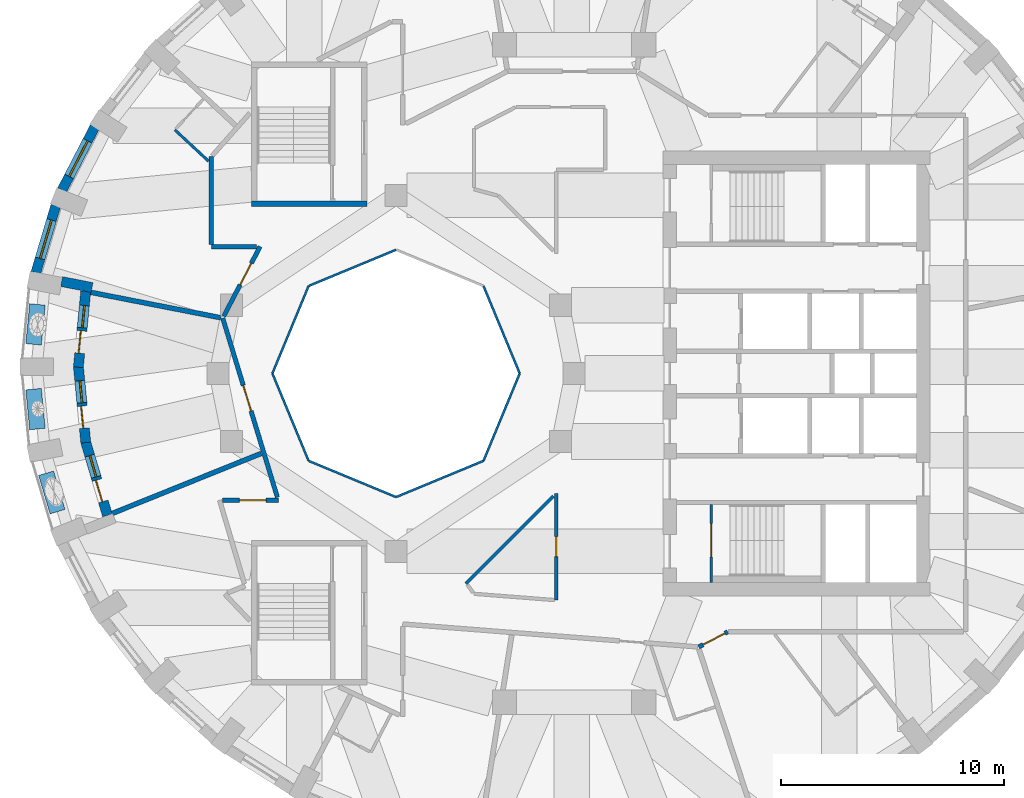
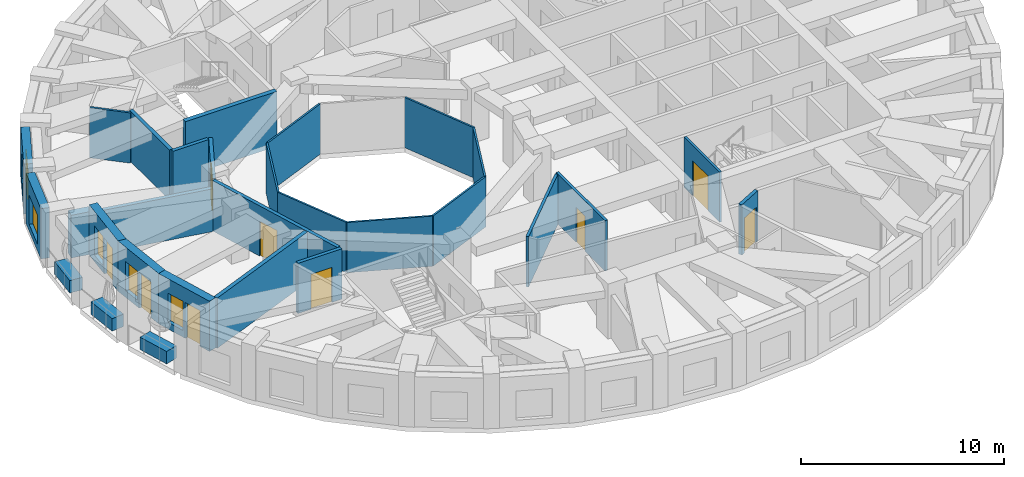
# One storey, part 4 of 12: 29 walls, 9 doors, 5 windows, 14 openings.
"""IFC4 building model written with IfcOpenShell, lengths in metres."""

from ifc_helpers import new_model, si_unit, direction, frame, frame_2d, origin, place, context, subcontext, project, spatial, rectangle, extrude, material, layer, layer_set, constituent, constituent_set, type_object, element, fill, save


model = new_model("IFC4")

# Units and contexts
model_context = context("Model", 3, precision=1e-05, world=origin(), true_north=direction((0.0, 1.0)))
body_context = subcontext(model_context, "Body", "Model", "MODEL_VIEW")
ifc_project = project(units=[si_unit("LENGTHUNIT", "METRE"), si_unit("AREAUNIT", "SQUARE_METRE"), si_unit("VOLUMEUNIT", "CUBIC_METRE"), si_unit("PLANEANGLEUNIT", "RADIAN"), si_unit("MASSUNIT", "GRAM", prefix="KILO")], contexts=[model_context])

# Site, building, storey
site_placement = place(None, origin())
site = spatial("IfcSite", under=ifc_project, at=site_placement, CompositionType="ELEMENT")
building_placement = place(site_placement, origin())
building = spatial("IfcBuilding", under=site, at=building_placement, Name="Taillehof Tower", CompositionType="ELEMENT")
storey_placement = place(building_placement, frame((0.0, 0.0, 239.89990234375)))
storey = spatial("IfcBuildingStorey", under=building, at=storey_placement, Name="L68", CompositionType="ELEMENT", Elevation=239.89990234375)

# Walls
ifc_material_1 = material(Name="Fire-resisting glass in steel frame", Category="steel")
ifc_layer_1 = layer(ifc_material_1, 0.10009765625)
ifc_layer_set_1 = layer_set([ifc_layer_1], Name="Atrium fire-resisting screen EI 60 100")
wall_type_1 = type_object("IfcWallType", Name="Atrium fire-resisting screen EI 60 100", PredefinedType="PARTITIONING", material=ifc_layer_set_1)
for number, where, z_axis, x_axis, name in (
    (1, (-2.44580078125, 0.0, 0.0), (0.0, 0.0, 1.0), (-0.382730523909, -0.923860025149, 0.0), "Atrium screen"),
    (2, (-4.07275390625, -3.92724609375, 0.0), (0.0, 0.0, 1.0), (-0.923860025149, -0.382730523909, 0.0), "Atrium screen"),
    (3, (-8.0, -5.55419921875, 0.0), (0.0, 0.0, 1.0), (-0.923860025149, 0.382730523909, 0.0), "Atrium screen"),
    (4, (-11.92724609375, -3.92724609375, 0.0), (0.0, 0.0, 1.0), (-0.382730523909, 0.923860025149, 0.0), "Atrium screen"),
    (5, (-13.55419921875, 0.0, 0.0), (0.0, 0.0, 1.0), (0.382730523909, 0.923860025149, 0.0), "Atrium screen"),
    (6, (-11.92724609375, 3.92724609375, 0.0), (0.0, 0.0, 1.0), (0.923860025149, 0.382730523909, 0.0), "Atrium screen"),
    (7, (-4.07275390625, 3.92724609375, 0.0), (0.0, 0.0, 1.0), (0.382730523909, -0.923860025149, 0.0), "Atrium screen"),
):
    element("IfcWall", number, at=place(storey_placement, frame(where, z_axis=z_axis, x_axis=x_axis)), inside=storey, type_object=wall_type_1, Name=name, PredefinedType="PARTITIONING", context=body_context, shape_type="SweptSolid", body=[
        extrude(rectangle(XDim=4.2509765625, YDim=0.10009765625, at=frame_2d((2.12548828125, 0.0))), origin(), (0.0, 0.0, 1.0), 3.02001953125),
    ])

# Wall, opening, window
ifc_material_2 = material(Name="Brick masonry", Category="masonry")
ifc_layer_2 = layer(ifc_material_2, 0.449951171875)
ifc_layer_set_2 = layer_set([ifc_layer_2], Name="Brick infill wall 450")
wall_type_2 = type_object("IfcWallType", Name="Brick infill wall 450", PredefinedType="SOLIDWALL", material=ifc_layer_set_2)
wall_1_placement = place(storey_placement, frame((-21.544921875, 11.068359375, 0.0), z_axis=(0.0, 0.0, 1.0), x_axis=(-0.459889857669, -0.887975967475, 0.0)))
wall_1 = element("IfcWall", 8, at=wall_1_placement, inside=storey, type_object=wall_type_2, Name="Brick wall L68 bay 16", PredefinedType="SOLIDWALL", context=body_context, shape_type="SweptSolid", body=[
    extrude(rectangle(XDim=3.185791015625, YDim=0.449951171875, at=frame_2d((1.5927734375, 0.0))), origin(), (0.0, 0.0, 1.0), 3.02001953125),
])
opening_1_placement = place(wall_1_placement, frame((0.69287109375, 0.0, 0.39990234375)))
opening_1 = element("IfcOpeningElement", 9, at=opening_1_placement, cuts=wall_1, Name="Opening W4", PredefinedType="OPENING", context=body_context, shape_type="SweptSolid", body=[
    extrude(rectangle(XDim=1.800048828125, YDim=1.75, at=frame_2d((0.89990234375, 0.875))), frame((0.0, 0.23486328125, 0.0), z_axis=(0.0, -1.0, 0.0), x_axis=(1.0, 0.0, 0.0)), (0.0, 0.0, 1.0), 0.469970703125),
])
ifc_material_3 = material(Name="Aluminium window frame with clear double glazing", Category="aluminium")
window_type_1 = type_object("IfcWindowType", Name="Deep-set window 1800x1750", PartitioningType="SINGLE_PANEL", PredefinedType="WINDOW", material=ifc_material_3)
window_1_placement = place(opening_1_placement, origin())
window_1 = element("IfcWindow", 10, at=window_1_placement, inside=storey, type_object=window_type_1, Name="W4", OverallHeight=1.75, OverallWidth=1.800048828125, PartitioningType="SINGLE_PANEL", PredefinedType="WINDOW", context=body_context, shape_type="SweptSolid", body=[
    extrude(rectangle(XDim=1.800048828125, YDim=1.75, at=frame_2d((0.89990234375, 0.875))), frame((0.0, 0.034912109375, 0.0), z_axis=(0.0, -1.0, 0.0), x_axis=(1.0, 0.0, 0.0)), (0.0, 0.0, 1.0), 0.06005859375),
])
fill(opening_1, window_1)

wall_2_placement = place(storey_placement, frame((-23.29443359375, 7.53466796875, 0.0), z_axis=(0.0, 0.0, 1.0), x_axis=(-0.285263800865, -0.958449040855, 0.0)))
wall_2 = element("IfcWall", 11, at=wall_2_placement, inside=storey, type_object=wall_type_2, Name="Brick wall L68 bay 17", PredefinedType="SOLIDWALL", context=body_context, shape_type="SweptSolid", body=[
    extrude(rectangle(XDim=3.13916015625, YDim=0.449951171875, at=frame_2d((1.569580078125, 0.0))), origin(), (0.0, 0.0, 1.0), 3.02001953125),
])
opening_2_placement = place(wall_2_placement, frame((0.669677734375, 0.0, 0.39990234375)))
opening_2 = element("IfcOpeningElement", 12, at=opening_2_placement, cuts=wall_2, Name="Opening W4", PredefinedType="OPENING", context=body_context, shape_type="SweptSolid", body=[
    extrude(rectangle(XDim=1.800048828125, YDim=1.75, at=frame_2d((0.89990234375, 0.875))), frame((0.0, 0.23486328125, 0.0), z_axis=(0.0, -1.0, 0.0), x_axis=(1.0, 0.0, 0.0)), (0.0, 0.0, 1.0), 0.469970703125),
])
window_2_placement = place(opening_2_placement, origin())
window_2 = element("IfcWindow", 13, at=window_2_placement, inside=storey, type_object=window_type_1, Name="W4", OverallHeight=1.75, OverallWidth=1.800048828125, PartitioningType="SINGLE_PANEL", PredefinedType="WINDOW", context=body_context, shape_type="SweptSolid", body=[
    extrude(rectangle(XDim=1.800048828125, YDim=1.75, at=frame_2d((0.89990234375, 0.875))), frame((0.0, 0.034912109375, 0.0), z_axis=(0.0, -1.0, 0.0), x_axis=(1.0, 0.0, 0.0)), (0.0, 0.0, 1.0), 0.06005859375),
])
fill(opening_2, window_2)

# Wall
wall_3_placement = place(storey_placement, frame((-23.027587890625, 4.126953125, 0.0), z_axis=(0.0, 0.0, 1.0), x_axis=(0.981468844755, -0.191621780535, 0.0)))
element("IfcWall", 14, at=wall_3_placement, inside=storey, type_object=wall_type_2, Name="Brick reveal L68 pocket 5", PredefinedType="SOLIDWALL", context=body_context, shape_type="SweptSolid", body=[
    extrude(rectangle(XDim=1.39013671875, YDim=0.449951171875, at=frame_2d((0.695068359375, 0.0))), origin(), (0.0, 0.0, 1.0), 2.570068359375),
])

# Wall, openings, door, window
wall_4_placement = place(storey_placement, frame((-21.94580078125, 3.6865234375, 0.0), z_axis=(0.0, 0.0, 1.0), x_axis=(-0.096467747711, -0.995336110895, 0.0)))
wall_4 = element("IfcWall", 15, at=wall_4_placement, inside=storey, type_object=wall_type_2, Name="Brick wall L68 pocket bay 18", PredefinedType="SOLIDWALL", context=body_context, shape_type="SweptSolid", body=[
    extrude(rectangle(XDim=3.424072265625, YDim=0.449951171875, at=frame_2d((1.7119140625, 0.0))), origin(), (0.0, 0.0, 1.0), 3.02001953125),
])
opening_3_placement = place(wall_4_placement, frame((0.63720703125, 0.0, 0.39990234375)))
opening_3 = element("IfcOpeningElement", 16, at=opening_3_placement, cuts=wall_4, Name="Opening W5", PredefinedType="OPENING", context=body_context, shape_type="SweptSolid", body=[
    extrude(rectangle(XDim=1.0, YDim=1.75, at=frame_2d((0.5, 0.875))), frame((0.0, 0.23486328125, 0.0), z_axis=(0.0, -1.0, 0.0), x_axis=(1.0, 0.0, 0.0)), (0.0, 0.0, 1.0), 0.469970703125),
])
opening_4_placement = place(wall_4_placement, frame((1.787109375, 0.0, 0.0)))
opening_4 = element("IfcOpeningElement", 17, at=opening_4_placement, cuts=wall_4, Name="Opening D6891", PredefinedType="OPENING", context=body_context, shape_type="SweptSolid", body=[
    extrude(rectangle(XDim=1.0, YDim=2.14990234375, at=frame_2d((0.5, 1.074951171875))), frame((0.0, 0.23486328125, 0.0), z_axis=(0.0, -1.0, 0.0), x_axis=(1.0, 0.0, 0.0)), (0.0, 0.0, 1.0), 0.469970703125),
])
ifc_material_4 = material(Name="Aluminium door frame with clear double glazing", Category="aluminium")
door_type_1 = type_object("IfcDoorType", Name="Balcony door 1000x2150", OperationType="SINGLE_SWING_RIGHT", PredefinedType="DOOR", material=ifc_material_4)
door_1_placement = place(opening_4_placement, frame((1.0, 0.0, 0.0), z_axis=(0.0, 0.0, 1.0), x_axis=(-1.0, 0.0, 0.0)))
door_1 = element("IfcDoor", 18, at=door_1_placement, inside=storey, type_object=door_type_1, Name="Balcony door L68 bay 18", OperationType="SINGLE_SWING_RIGHT", OverallHeight=2.14990234375, OverallWidth=1.0, PredefinedType="DOOR", context=body_context, shape_type="SweptSolid", body=[
    extrude(rectangle(XDim=1.0, YDim=2.14990234375, at=frame_2d((0.5, 1.074951171875))), frame((0.0, 0.0751953125, 0.0), z_axis=(0.0, -1.0, 0.0), x_axis=(1.0, 0.0, 0.0)), (0.0, 0.0, 1.0), 0.050048828125),
])
fill(opening_4, door_1)
ifc_material_5 = material(Name="Aluminium window frame with clear double glazing", Category="aluminium")
window_type_2 = type_object("IfcWindowType", Name="Fixed window 1000x1750", PartitioningType="SINGLE_PANEL", PredefinedType="WINDOW", material=ifc_material_5)
window_3_placement = place(opening_3_placement, origin())
window_3 = element("IfcWindow", 19, at=window_3_placement, inside=storey, type_object=window_type_2, Name="W5", OverallHeight=1.75, OverallWidth=1.0, PartitioningType="SINGLE_PANEL", PredefinedType="WINDOW", context=body_context, shape_type="SweptSolid", body=[
    extrude(rectangle(XDim=1.0, YDim=1.75, at=frame_2d((0.5, 0.875))), frame((0.0, 0.034912109375, 0.0), z_axis=(0.0, -1.0, 0.0), x_axis=(1.0, 0.0, 0.0)), (0.0, 0.0, 1.0), 0.06005859375),
])
fill(opening_3, window_3)

wall_5_placement = place(storey_placement, frame((-22.276123046875, 0.32177734375, 0.0), z_axis=(0.0, 0.0, 1.0), x_axis=(0.096423819494, -0.995340367429, 0.0)))
wall_5 = element("IfcWall", 20, at=wall_5_placement, inside=storey, type_object=wall_type_2, Name="Brick wall L68 pocket bay 19", PredefinedType="SOLIDWALL", context=body_context, shape_type="SweptSolid", body=[
    extrude(rectangle(XDim=3.446044921875, YDim=0.449951171875, at=frame_2d((1.72314453125, 0.0))), origin(), (0.0, 0.0, 1.0), 3.02001953125),
])
opening_5_placement = place(wall_5_placement, frame((0.64794921875, 0.0, 0.39990234375)))
opening_5 = element("IfcOpeningElement", 21, at=opening_5_placement, cuts=wall_5, Name="Opening W5", PredefinedType="OPENING", context=body_context, shape_type="SweptSolid", body=[
    extrude(rectangle(XDim=1.0, YDim=1.75, at=frame_2d((0.5, 0.875))), frame((0.0, 0.23486328125, 0.0), z_axis=(0.0, -1.0, 0.0), x_axis=(1.0, 0.0, 0.0)), (0.0, 0.0, 1.0), 0.469970703125),
])
opening_6_placement = place(wall_5_placement, frame((1.7978515625, 0.0, 0.0)))
opening_6 = element("IfcOpeningElement", 22, at=opening_6_placement, cuts=wall_5, Name="Opening D6892", PredefinedType="OPENING", context=body_context, shape_type="SweptSolid", body=[
    extrude(rectangle(XDim=1.0, YDim=2.14990234375, at=frame_2d((0.5, 1.074951171875))), frame((0.0, 0.23486328125, 0.0), z_axis=(0.0, -1.0, 0.0), x_axis=(1.0, 0.0, 0.0)), (0.0, 0.0, 1.0), 0.469970703125),
])
door_2_placement = place(opening_6_placement, frame((1.0, 0.0, 0.0), z_axis=(0.0, 0.0, 1.0), x_axis=(-1.0, 0.0, 0.0)))
door_2 = element("IfcDoor", 23, at=door_2_placement, inside=storey, type_object=door_type_1, Name="Balcony door L68 bay 19", OperationType="SINGLE_SWING_LEFT", OverallHeight=2.14990234375, OverallWidth=1.0, PredefinedType="DOOR", context=body_context, shape_type="SweptSolid", body=[
    extrude(rectangle(XDim=1.0, YDim=2.14990234375, at=frame_2d((0.5, 1.074951171875))), frame((0.0, 0.0751953125, 0.0), z_axis=(0.0, -1.0, 0.0), x_axis=(1.0, 0.0, 0.0)), (0.0, 0.0, 1.0), 0.050048828125),
])
fill(opening_6, door_2)
window_4_placement = place(opening_5_placement, origin())
window_4 = element("IfcWindow", 24, at=window_4_placement, inside=storey, type_object=window_type_2, Name="W5", OverallHeight=1.75, OverallWidth=1.0, PartitioningType="SINGLE_PANEL", PredefinedType="WINDOW", context=body_context, shape_type="SweptSolid", body=[
    extrude(rectangle(XDim=1.0, YDim=1.75, at=frame_2d((0.5, 0.875))), frame((0.0, 0.034912109375, 0.0), z_axis=(0.0, -1.0, 0.0), x_axis=(1.0, 0.0, 0.0)), (0.0, 0.0, 1.0), 0.06005859375),
])
fill(opening_5, window_4)

wall_6_placement = place(storey_placement, frame((-21.951904296875, -3.06591796875, 0.0), z_axis=(0.0, 0.0, 1.0), x_axis=(0.284437019833, -0.958694728132, 0.0)))
wall_6 = element("IfcWall", 25, at=wall_6_placement, inside=storey, type_object=wall_type_2, Name="Brick wall L68 pocket bay 20", PredefinedType="SOLIDWALL", context=body_context, shape_type="SweptSolid", body=[
    extrude(rectangle(XDim=3.45654296875, YDim=0.449951171875, at=frame_2d((1.728271484375, 0.0))), origin(), (0.0, 0.0, 1.0), 3.02001953125),
])
opening_7_placement = place(wall_6_placement, frame((0.6533203125, 0.0, 0.39990234375)))
opening_7 = element("IfcOpeningElement", 26, at=opening_7_placement, cuts=wall_6, Name="Opening W5", PredefinedType="OPENING", context=body_context, shape_type="SweptSolid", body=[
    extrude(rectangle(XDim=1.0, YDim=1.75, at=frame_2d((0.5, 0.875))), frame((0.0, 0.23486328125, 0.0), z_axis=(0.0, -1.0, 0.0), x_axis=(1.0, 0.0, 0.0)), (0.0, 0.0, 1.0), 0.469970703125),
])
opening_8_placement = place(wall_6_placement, frame((1.80322265625, 0.0, 0.0)))
opening_8 = element("IfcOpeningElement", 27, at=opening_8_placement, cuts=wall_6, Name="Opening D6893", PredefinedType="OPENING", context=body_context, shape_type="SweptSolid", body=[
    extrude(rectangle(XDim=1.0, YDim=2.14990234375, at=frame_2d((0.5, 1.074951171875))), frame((0.0, 0.23486328125, 0.0), z_axis=(0.0, -1.0, 0.0), x_axis=(1.0, 0.0, 0.0)), (0.0, 0.0, 1.0), 0.469970703125),
])
door_3_placement = place(opening_8_placement, frame((1.0, 0.0, 0.0), z_axis=(0.0, 0.0, 1.0), x_axis=(-1.0, 0.0, 0.0)))
door_3 = element("IfcDoor", 28, at=door_3_placement, inside=storey, type_object=door_type_1, Name="Balcony door L68 bay 20", OperationType="SINGLE_SWING_LEFT", OverallHeight=2.14990234375, OverallWidth=1.0, PredefinedType="DOOR", context=body_context, shape_type="SweptSolid", body=[
    extrude(rectangle(XDim=1.0, YDim=2.14990234375, at=frame_2d((0.5, 1.074951171875))), frame((0.0, 0.0751953125, 0.0), z_axis=(0.0, -1.0, 0.0), x_axis=(1.0, 0.0, 0.0)), (0.0, 0.0, 1.0), 0.050048828125),
])
fill(opening_8, door_3)
window_5_placement = place(opening_7_placement, origin())
window_5 = element("IfcWindow", 29, at=window_5_placement, inside=storey, type_object=window_type_2, Name="W5", OverallHeight=1.75, OverallWidth=1.0, PartitioningType="SINGLE_PANEL", PredefinedType="WINDOW", context=body_context, shape_type="SweptSolid", body=[
    extrude(rectangle(XDim=1.0, YDim=1.75, at=frame_2d((0.5, 0.875))), frame((0.0, 0.034912109375, 0.0), z_axis=(0.0, -1.0, 0.0), x_axis=(1.0, 0.0, 0.0)), (0.0, 0.0, 1.0), 0.06005859375),
])
fill(opening_7, window_5)

# Wall, opening, door
ifc_material_6 = material(Name="Gypsum board on steel studs, two layers each side", Category="steel")
ifc_layer_3 = layer(ifc_material_6, 0.199951171875)
ifc_layer_set_3 = layer_set([ifc_layer_3], Name="Compartment wall corridor 200")
wall_type_3 = type_object("IfcWallType", Name="Compartment wall corridor 200", PredefinedType="PARTITIONING", material=ifc_layer_set_3)
wall_7_placement = place(storey_placement, frame((6.902587890625, -11.61865234375, 0.0), z_axis=(0.0, 0.0, 1.0), x_axis=(-0.887353179844, -0.461090375329, 0.0)))
wall_7 = element("IfcWall", 30, at=wall_7_placement, inside=storey, type_object=wall_type_3, Name="Compartment wall", PredefinedType="PARTITIONING", context=body_context, shape_type="SweptSolid", body=[
    extrude(rectangle(XDim=1.465087890625, YDim=0.199951171875, at=frame_2d((0.732421875, 0.0))), origin(), (0.0, 0.0, 1.0), 3.02001953125),
])
opening_9_placement = place(wall_7_placement, frame((0.139892578125, 0.0, 0.0)))
opening_9 = element("IfcOpeningElement", 31, at=opening_9_placement, cuts=wall_7, Name="Opening D6852", PredefinedType="OPENING", context=body_context, shape_type="SweptSolid", body=[
    extrude(rectangle(XDim=1.10009765625, YDim=2.10009765625, at=frame_2d((0.550048828125, 1.050048828125))), frame((0.0, 0.10986328125, 0.0), z_axis=(0.0, -1.0, 0.0), x_axis=(1.0, 0.0, 0.0)), (0.0, 0.0, 1.0), 0.219970703125),
])
ifc_material_7 = material(Name="Timber door leaf in steel frame", Category="steel")
door_type_2 = type_object("IfcDoorType", Name="Accessible guest room door EI 30 1100 x 2100", OperationType="SINGLE_SWING_LEFT", PredefinedType="DOOR", material=ifc_material_7)
door_4_placement = place(opening_9_placement, origin())
door_4 = element("IfcDoor", 32, at=door_4_placement, inside=storey, type_object=door_type_2, Name="D6852", OperationType="SINGLE_SWING_LEFT", OverallHeight=2.10009765625, OverallWidth=1.10009765625, PredefinedType="DOOR", context=body_context, shape_type="SweptSolid", body=[
    extrude(rectangle(XDim=1.10009765625, YDim=2.10009765625, at=frame_2d((0.550048828125, 1.050048828125))), frame((0.0, 0.02490234375, 0.0), z_axis=(0.0, -1.0, 0.0), x_axis=(1.0, 0.0, 0.0)), (0.0, 0.0, 1.0), 0.050048828125),
])
fill(opening_9, door_4)

wall_8_placement = place(storey_placement, frame((-15.788818359375, -5.699951171875, 0.0), z_axis=(0.0, 0.0, 1.0), x_axis=(1.0, 0.0, 0.0)))
wall_8 = element("IfcWall", 33, at=wall_8_placement, inside=storey, type_object=wall_type_3, Name="Compartment wall", PredefinedType="PARTITIONING", context=body_context, shape_type="SweptSolid", body=[
    extrude(rectangle(XDim=2.497314453125, YDim=0.199951171875, at=frame_2d((1.24853515625, 0.0))), origin(), (0.0, 0.0, 1.0), 3.02001953125),
])
opening_10_placement = place(wall_8_placement, frame((0.75048828125, 0.0, 0.0)))
opening_10 = element("IfcOpeningElement", 34, at=opening_10_placement, cuts=wall_8, Name="Opening D6847", PredefinedType="OPENING", context=body_context, shape_type="SweptSolid", body=[
    extrude(rectangle(XDim=1.199951171875, YDim=2.10009765625, at=frame_2d((0.60009765625, 1.050048828125))), frame((0.0, 0.10986328125, 0.0), z_axis=(0.0, -1.0, 0.0), x_axis=(1.0, 0.0, 0.0)), (0.0, 0.0, 1.0), 0.219970703125),
])
ifc_material_8 = material(Name="Timber door leaf in steel frame", Category="steel")
door_type_3 = type_object("IfcDoorType", Name="Suite entrance door EI 30 1200 x 2100", OperationType="SINGLE_SWING_LEFT", PredefinedType="DOOR", material=ifc_material_8)
door_5_placement = place(opening_10_placement, origin())
door_5 = element("IfcDoor", 35, at=door_5_placement, inside=storey, type_object=door_type_3, Name="D6847", OperationType="SINGLE_SWING_RIGHT", OverallHeight=2.10009765625, OverallWidth=1.199951171875, PredefinedType="DOOR", context=body_context, shape_type="SweptSolid", body=[
    extrude(rectangle(XDim=1.199951171875, YDim=2.10009765625, at=frame_2d((0.60009765625, 1.050048828125))), frame((0.0, 0.02490234375, 0.0), z_axis=(0.0, -1.0, 0.0), x_axis=(1.0, 0.0, 0.0)), (0.0, 0.0, 1.0), 0.050048828125),
])
fill(opening_10, door_5)

wall_9_placement = place(storey_placement, frame((-13.33251953125, -5.566650390625, 0.0), z_axis=(0.0, 0.0, 1.0), x_axis=(-0.291732883234, 0.956499830026, 0.0)))
wall_9 = element("IfcWall", 36, at=wall_9_placement, inside=storey, type_object=wall_type_3, Name="Compartment wall", PredefinedType="PARTITIONING", context=body_context, shape_type="SweptSolid", body=[
    extrude(rectangle(XDim=8.417236328125, YDim=0.199951171875, at=frame_2d((4.20849609375, 0.0))), origin(), (0.0, 0.0, 1.0), 3.02001953125),
])
opening_11_placement = place(wall_9_placement, frame((4.052734375, 0.0, 0.0)))
opening_11 = element("IfcOpeningElement", 37, at=opening_11_placement, cuts=wall_9, Name="Opening D6846", PredefinedType="OPENING", context=body_context, shape_type="SweptSolid", body=[
    extrude(rectangle(XDim=1.199951171875, YDim=2.10009765625, at=frame_2d((0.60009765625, 1.050048828125))), frame((0.0, 0.10986328125, 0.0), z_axis=(0.0, -1.0, 0.0), x_axis=(1.0, 0.0, 0.0)), (0.0, 0.0, 1.0), 0.219970703125),
])
door_6_placement = place(opening_11_placement, origin())
door_6 = element("IfcDoor", 38, at=door_6_placement, inside=storey, type_object=door_type_3, Name="D6846", OperationType="SINGLE_SWING_LEFT", OverallHeight=2.10009765625, OverallWidth=1.199951171875, PredefinedType="DOOR", context=body_context, shape_type="SweptSolid", body=[
    extrude(rectangle(XDim=1.199951171875, YDim=2.10009765625, at=frame_2d((0.60009765625, 1.050048828125))), frame((0.0, 0.02490234375, 0.0), z_axis=(0.0, -1.0, 0.0), x_axis=(1.0, 0.0, 0.0)), (0.0, 0.0, 1.0), 0.050048828125),
])
fill(opening_11, door_6)

wall_10_placement = place(storey_placement, frame((-15.74169921875, 2.573486328125, 0.0), z_axis=(0.0, 0.0, 1.0), x_axis=(0.462435860297, 0.886652736482, 0.0)))
wall_10 = element("IfcWall", 39, at=wall_10_placement, inside=storey, type_object=wall_type_3, Name="Compartment wall", PredefinedType="PARTITIONING", context=body_context, shape_type="SweptSolid", body=[
    extrude(rectangle(XDim=3.526123046875, YDim=0.199951171875, at=frame_2d((1.76318359375, 0.0))), origin(), (0.0, 0.0, 1.0), 3.02001953125),
])
opening_12_placement = place(wall_10_placement, frame((1.5859375, 0.0, 0.0)))
opening_12 = element("IfcOpeningElement", 40, at=opening_12_placement, cuts=wall_10, Name="Opening D6844", PredefinedType="OPENING", context=body_context, shape_type="SweptSolid", body=[
    extrude(rectangle(XDim=1.10009765625, YDim=2.10009765625, at=frame_2d((0.550048828125, 1.050048828125))), frame((0.0, 0.10986328125, 0.0), z_axis=(0.0, -1.0, 0.0), x_axis=(1.0, 0.0, 0.0)), (0.0, 0.0, 1.0), 0.219970703125),
])
ifc_material_9 = material(Name="Timber door leaf in steel frame", Category="steel")
door_type_4 = type_object("IfcDoorType", Name="Suite entrance door EI 30 1100 x 2100", OperationType="SINGLE_SWING_LEFT", PredefinedType="DOOR", material=ifc_material_9)
door_7_placement = place(opening_12_placement, origin())
door_7 = element("IfcDoor", 41, at=door_7_placement, inside=storey, type_object=door_type_4, Name="D6844", OperationType="SINGLE_SWING_RIGHT", OverallHeight=2.10009765625, OverallWidth=1.10009765625, PredefinedType="DOOR", context=body_context, shape_type="SweptSolid", body=[
    extrude(rectangle(XDim=1.10009765625, YDim=2.10009765625, at=frame_2d((0.550048828125, 1.050048828125))), frame((0.0, 0.02490234375, 0.0), z_axis=(0.0, -1.0, 0.0), x_axis=(1.0, 0.0, 0.0)), (0.0, 0.0, 1.0), 0.050048828125),
])
fill(opening_12, door_7)

# Walls
wall_11_placement = place(storey_placement, frame((-14.271240234375, 5.699951171875, 0.0), z_axis=(0.0, 0.0, 1.0), x_axis=(-1.0, 0.0, 0.0)))
element("IfcWall", 42, at=wall_11_placement, inside=storey, type_object=wall_type_3, Name="Compartment wall", PredefinedType="PARTITIONING", context=body_context, shape_type="SweptSolid", body=[
    extrude(rectangle(XDim=2.02880859375, YDim=0.199951171875, at=frame_2d((1.014404296875, 0.0))), origin(), (0.0, 0.0, 1.0), 3.02001953125),
])
wall_12_placement = place(storey_placement, frame((-16.300048828125, 5.800048828125, 0.0), z_axis=(0.0, 0.0, 1.0), x_axis=(0.0, 1.0, 0.0)))
element("IfcWall", 43, at=wall_12_placement, inside=storey, type_object=wall_type_3, Name="Compartment wall", PredefinedType="PARTITIONING", context=body_context, shape_type="SweptSolid", body=[
    extrude(rectangle(XDim=3.938720703125, YDim=0.199951171875, at=frame_2d((1.96923828125, 0.0))), origin(), (0.0, 0.0, 1.0), 3.02001953125),
])
ifc_material_10 = material(Name="Gypsum board on double steel studs with mineral wool", Category="steel")
ifc_layer_4 = layer(ifc_material_10, 0.219970703125)
ifc_layer_set_4 = layer_set([ifc_layer_4], Name="Compartment wall guest room 220")
wall_type_4 = type_object("IfcWallType", Name="Compartment wall guest room 220", PredefinedType="PARTITIONING", material=ifc_layer_set_4)
wall_13_placement = place(storey_placement, frame((-21.723876953125, 3.643310546875, 0.0), z_axis=(0.0, 0.0, 1.0), x_axis=(0.981479525595, -0.191567066159, 0.0)))
element("IfcWall", 44, at=wall_13_placement, inside=storey, type_object=wall_type_4, Name="Compartment wall", PredefinedType="PARTITIONING", context=body_context, shape_type="SweptSolid", body=[
    extrude(rectangle(XDim=5.96826171875, YDim=0.219970703125, at=frame_2d((2.984130859375, 0.0))), origin(), (0.0, 0.0, 1.0), 2.570068359375),
])
wall_14_placement = place(storey_placement, frame((-20.759033203125, -6.295166015625, 0.0), z_axis=(0.0, 0.0, 1.0), x_axis=(0.927536731172, 0.373732006023, 0.0)))
element("IfcWall", 45, at=wall_14_placement, inside=storey, type_object=wall_type_4, Name="Compartment wall", PredefinedType="PARTITIONING", context=body_context, shape_type="SweptSolid", body=[
    extrude(rectangle(XDim=7.2236328125, YDim=0.219970703125, at=frame_2d((3.61181640625, 0.0))), origin(), (0.0, 0.0, 1.0), 3.02001953125),
])

# Wall, opening, door
ifc_material_11 = material(Name="Gypsum board on steel studs, two layers each side", Category="steel")
ifc_layer_5 = layer(ifc_material_11, 0.14990234375)
ifc_layer_set_5 = layer_set([ifc_layer_5], Name="Compartment wall service room 150")
wall_type_5 = type_object("IfcWallType", Name="Compartment wall service room 150", PredefinedType="PARTITIONING", material=ifc_layer_set_5)
wall_15_placement = place(storey_placement, frame((-0.800048828125, -5.386474609375, 0.0), z_axis=(0.0, 0.0, 1.0), x_axis=(0.0, -1.0, 0.0)))
wall_15 = element("IfcWall", 46, at=wall_15_placement, inside=storey, type_object=wall_type_5, Name="Compartment wall", PredefinedType="PARTITIONING", context=body_context, shape_type="SweptSolid", body=[
    extrude(rectangle(XDim=4.805419921875, YDim=0.14990234375, at=frame_2d((2.40283203125, 0.0))), origin(), (0.0, 0.0, 1.0), 3.02001953125),
])
opening_13_placement = place(wall_15_placement, frame((1.95263671875, 0.0, 0.0)))
opening_13 = element("IfcOpeningElement", 47, at=opening_13_placement, cuts=wall_15, Name="Opening D6859", PredefinedType="OPENING", context=body_context, shape_type="SweptSolid", body=[
    extrude(rectangle(XDim=0.89990234375, YDim=2.10009765625, at=frame_2d((0.449951171875, 1.050048828125))), frame((0.0, 0.0849609375, 0.0), z_axis=(0.0, -1.0, 0.0), x_axis=(1.0, 0.0, 0.0)), (0.0, 0.0, 1.0), 0.169921875),
])
ifc_material_12 = material(Name="Timber door leaf in steel frame", Category="steel")
door_type_5 = type_object("IfcDoorType", Name="Service room door EI 30 900 x 2100", OperationType="SINGLE_SWING_LEFT", PredefinedType="DOOR", material=ifc_material_12)
door_8_placement = place(opening_13_placement, origin())
door_8 = element("IfcDoor", 48, at=door_8_placement, inside=storey, type_object=door_type_5, Name="D6859", OperationType="SINGLE_SWING_RIGHT", OverallHeight=2.10009765625, OverallWidth=0.89990234375, PredefinedType="DOOR", context=body_context, shape_type="SweptSolid", body=[
    extrude(rectangle(XDim=0.89990234375, YDim=2.10009765625, at=frame_2d((0.449951171875, 1.050048828125))), frame((0.0, 0.02490234375, 0.0), z_axis=(0.0, -1.0, 0.0), x_axis=(1.0, 0.0, 0.0)), (0.0, 0.0, 1.0), 0.050048828125),
])
fill(opening_13, door_8)

# Walls
wall_16_placement = place(storey_placement, frame((-4.863525390625, -9.449951171875, 0.0), z_axis=(0.0, 0.0, 1.0), x_axis=(0.707106781187, 0.707106781187, 0.0)))
element("IfcWall", 49, at=wall_16_placement, inside=storey, type_object=wall_type_5, Name="Compartment wall", PredefinedType="PARTITIONING", context=body_context, shape_type="SweptSolid", body=[
    extrude(rectangle(XDim=5.56640625, YDim=0.14990234375, at=frame_2d((2.783203125, 0.0))), origin(), (0.0, 0.0, 1.0), 3.02001953125),
])
ifc_material_13 = material(Name="Gypsum board on steel studs, moisture resistant", Category="steel")
ifc_layer_6 = layer(ifc_material_13, 0.1201171875)
ifc_layer_set_6 = layer_set([ifc_layer_6], Name="En-suite wall 120")
wall_type_6 = type_object("IfcWallType", Name="En-suite wall 120", PredefinedType="PARTITIONING", material=ifc_layer_set_6)
wall_17_placement = place(storey_placement, frame((-16.429443359375, 9.541259765625, 0.0), z_axis=(0.0, 0.0, 1.0), x_axis=(-0.732625124054, 0.680632373315, 0.0)))
element("IfcWall", 50, at=wall_17_placement, inside=storey, type_object=wall_type_6, Name="En-suite wall", PredefinedType="PARTITIONING", context=body_context, shape_type="SweptSolid", body=[
    extrude(rectangle(XDim=2.066162109375, YDim=0.1201171875, at=frame_2d((1.033203125, 0.0))), origin(), (0.0, 0.0, 1.0), 3.02001953125),
])
ifc_material_14 = material(Name="Concrete C30/37 precast", Category="concrete")
ifc_constituent_1 = constituent(ifc_material_14, Name="Structure", Category="concrete")
ifc_material_15 = material(Name="Insulated lining")
ifc_constituent_2 = constituent(ifc_material_15, Name="Lining")
ifc_constituent_set = constituent_set(constituents=[ifc_constituent_1, ifc_constituent_2], Name="Planter trough 700x750")
wall_type_7 = type_object("IfcWallType", Name="Planter trough 700x750", PredefinedType="USERDEFINED", material=ifc_constituent_set)
for number, where, z_axis, x_axis, name in (
    (51, (-24.11572265625, 3.09814453125, 0.0), (0.0, 0.0, 1.0), (-0.096709987215, -0.995312603343, 0.0), "Planter L68 bay 18"),
    (52, (-24.289794921875, -0.70654296875, 0.0), (0.0, 0.0, 1.0), (0.096709987215, -0.995312603343, 0.0), "Planter L68 bay 19"),
    (53, (-23.725830078125, -4.486083984375, 0.0), (0.0, 0.0, 1.0), (0.285219480859, -0.958462230731, 0.0), "Planter L68 bay 20"),
):
    element("IfcWall", number, at=place(storey_placement, frame(where, z_axis=z_axis, x_axis=x_axis)), inside=storey, type_object=wall_type_7, Name=name, ObjectType="PLANTER", PredefinedType="USERDEFINED", context=body_context, shape_type="SweptSolid", body=[
        extrude(rectangle(XDim=1.800048828125, YDim=0.699951171875, at=frame_2d((0.89990234375, 0.0))), origin(), (0.0, 0.0, 1.0), 0.75),
    ])

# Wall, opening, door
ifc_material_16 = material(Name="Concrete C50/60", Category="concrete")
ifc_layer_7 = layer(ifc_material_16, 0.1201171875)
ifc_layer_set_7 = layer_set([ifc_layer_7], Name="Stair lobby wall C50/60 120")
wall_type_8 = type_object("IfcWallType", Name="Stair lobby wall C50/60 120", PredefinedType="SHEAR", material=ifc_layer_set_7)
wall_18_placement = place(storey_placement, frame((6.159912109375, -9.39990234375, 0.0), z_axis=(0.0, 0.0, 1.0), x_axis=(0.0, 1.0, 0.0)))
wall_18 = element("IfcWall", 54, at=wall_18_placement, inside=storey, type_object=wall_type_8, Name="Compartment wall SW", PredefinedType="SHEAR", context=body_context, shape_type="SweptSolid", body=[
    extrude(rectangle(XDim=3.5, YDim=0.1201171875, at=frame_2d((1.75, 0.0))), origin(), (0.0, 0.0, 1.0), 3.02001953125),
])
opening_14_placement = place(wall_18_placement, frame((1.14990234375, 0.0, 0.0)))
opening_14 = element("IfcOpeningElement", 55, at=opening_14_placement, cuts=wall_18, Name="Opening D6811", PredefinedType="OPENING", context=body_context, shape_type="SweptSolid", body=[
    extrude(rectangle(XDim=1.5, YDim=2.10009765625, at=frame_2d((0.75, 1.050048828125))), frame((0.0, 0.070068359375, 0.0), z_axis=(0.0, -1.0, 0.0), x_axis=(1.0, 0.0, 0.0)), (0.0, 0.0, 1.0), 0.14013671875),
])
ifc_material_17 = material(Name="Steel-faced fire door", Category="steel")
door_type_6 = type_object("IfcDoorType", Name="Stair door 1500x2100", OperationType="DOUBLE_DOOR_SINGLE_SWING", PredefinedType="DOOR", material=ifc_material_17)
door_9_placement = place(opening_14_placement, origin())
door_9 = element("IfcDoor", 56, at=door_9_placement, inside=storey, type_object=door_type_6, Name="Stair lobby door S2", OperationType="DOUBLE_DOOR_SINGLE_SWING", OverallHeight=2.10009765625, OverallWidth=1.5, PredefinedType="DOOR", context=body_context, shape_type="SweptSolid", body=[
    extrude(rectangle(XDim=1.5, YDim=2.10009765625, at=frame_2d((0.75, 1.050048828125))), frame((0.0, 0.02490234375, 0.0), z_axis=(0.0, -1.0, 0.0), x_axis=(1.0, 0.0, 0.0)), (0.0, 0.0, 1.0), 0.050048828125),
])
fill(opening_14, door_9)

# Wall
ifc_material_18 = material(Name="Concrete C50/60", Category="concrete")
ifc_layer_8 = layer(ifc_material_18, 0.25)
ifc_layer_set_8 = layer_set([ifc_layer_8], Name="Stair wall C50/60 250")
wall_type_9 = type_object("IfcWallType", Name="Stair wall C50/60 250", PredefinedType="SHEAR", material=ifc_layer_set_8)
wall_19_placement = place(storey_placement, frame((-14.5, 7.625, -0.27978515625), z_axis=(0.0, 0.0, 1.0), x_axis=(1.0, 0.0, 0.0)))
element("IfcWall", 57, at=wall_19_placement, inside=storey, type_object=wall_type_9, Name="Stair wall SC", PredefinedType="SHEAR", context=body_context, shape_type="SweptSolid", body=[
    extrude(rectangle(XDim=5.199951171875, YDim=0.25, at=frame_2d((2.60009765625, 0.0))), origin(), (0.0, 0.0, 1.0), 3.2998046875),
])

save(model, "model.ifc")
